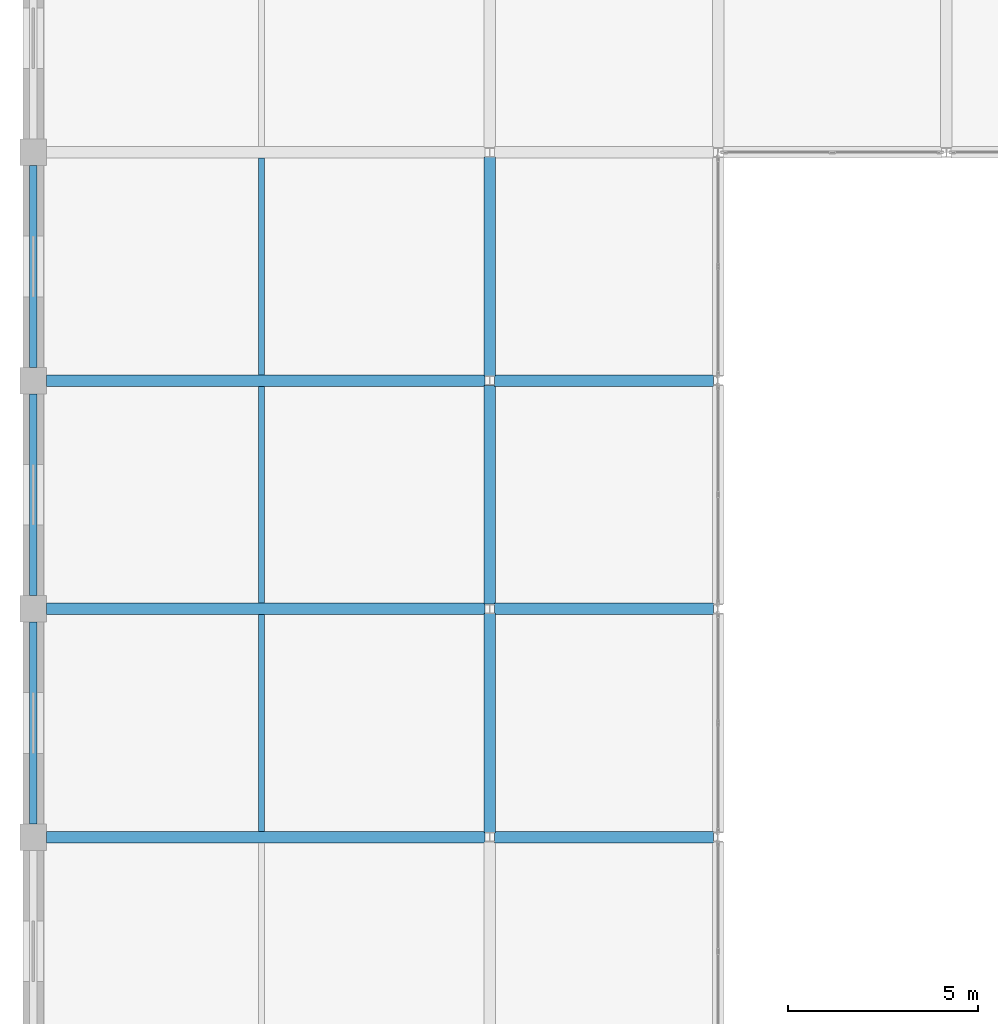
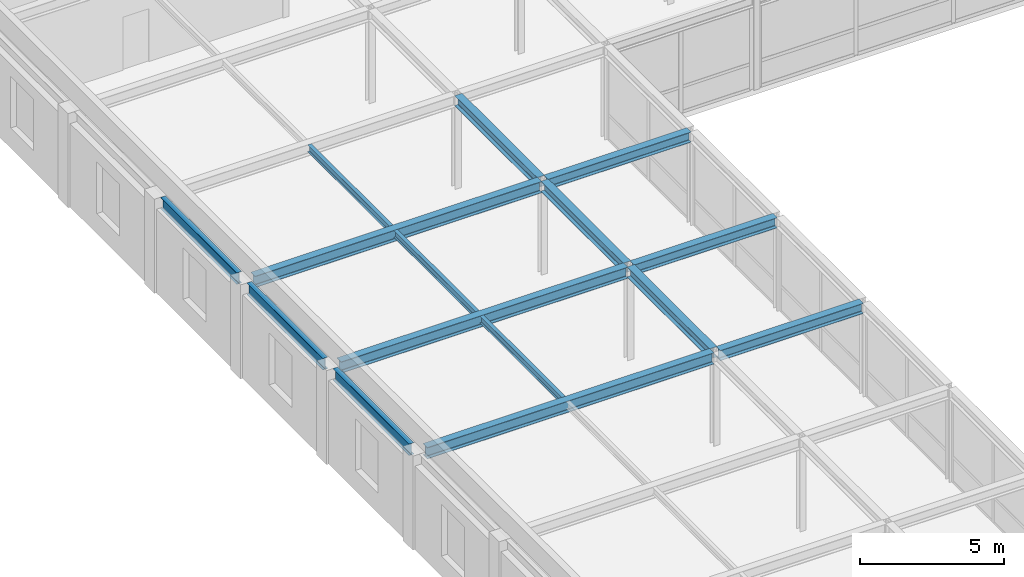
# One storey, part 44 of 111: 15 beams.
"""IFC4 building model written with IfcOpenShell, lengths in metres."""

from ifc_helpers import new_model, si_unit, direction, frame, origin, origin_2d, place, context, subcontext, project, spatial, i_section, extrude, material, material_profile, profile_set, type_object, element, save


model = new_model("IFC4")

# Units and contexts
model_context = context("Model", 3, precision=1e-05, world=origin(), true_north=direction((0.0, 1.0)))
body_context = subcontext(model_context, "Body", "Model", "MODEL_VIEW")
ifc_project = project(units=[si_unit("LENGTHUNIT", "METRE"), si_unit("AREAUNIT", "SQUARE_METRE"), si_unit("VOLUMEUNIT", "CUBIC_METRE"), si_unit("PLANEANGLEUNIT", "RADIAN"), si_unit("MASSUNIT", "GRAM", prefix="KILO")], contexts=[model_context])

# Site, building, storey
site_placement = place(None, origin())
site = spatial("IfcSite", under=ifc_project, at=site_placement, CompositionType="ELEMENT")
building_placement = place(site_placement, origin())
building = spatial("IfcBuilding", under=site, at=building_placement, Name="Zlatovratsky Civic Hall", CompositionType="ELEMENT")
storey_placement = place(building_placement, frame((0.0, 0.0, 16.5)))
storey = spatial("IfcBuildingStorey", under=building, at=storey_placement, Name="L04", CompositionType="ELEMENT", Elevation=16.5)

# Beams
ifc_material = material(Name="Steel S355", Category="steel")
ifc_material_profile_1 = material_profile(ifc_material, i_section(OverallWidth=0.300048828125, OverallDepth=0.487060546875, WebThickness=0.014404296875, FlangeThickness=0.017578125, FilletRadius=0.02392578125, at=origin_2d()), Name="50Sh2")
ifc_profile_set_1 = profile_set([ifc_material_profile_1], Name="Steel S355")
beam_type_1 = type_object("IfcBeamType", Name="Beam_ArchiveGirder_50Sh2", PredefinedType="BEAM", material=ifc_profile_set_1)
for number, where, z_axis, x_axis, name in (
    (1, (0.35009765625, 48.0, 3.756591796875), (1.0, 0.0, 0.0), (0.0, 1.0, 0.0), "BM-3300"),
    (2, (0.35009765625, 54.0, 3.756591796875), (1.0, 0.0, 0.0), (0.0, 1.0, 0.0), "BM-3310"),
    (3, (0.35009765625, 60.0, 3.756591796875), (1.0, 0.0, 0.0), (0.0, 1.0, 0.0), "BM-3320"),
):
    element("IfcBeam", number, at=place(storey_placement, frame(where, z_axis=z_axis, x_axis=x_axis)), inside=storey, type_object=beam_type_1, Name=name, PredefinedType="BEAM", context=body_context, shape_type="SweptSolid", body=[
        extrude(i_section(OverallWidth=0.300048828125, OverallDepth=0.487060546875, WebThickness=0.014404296875, FlangeThickness=0.017578125, FilletRadius=0.02392578125, at=origin_2d()), origin(), (0.0, 0.0, 1.0), 11.52490234375),
    ])
ifc_material_profile_2 = material_profile(ifc_material, i_section(OverallWidth=0.198974609375, OverallDepth=0.491943359375, WebThickness=0.0087890625, FlangeThickness=0.011962890625, FilletRadius=0.01611328125, at=origin_2d()), Name="50B1")
ifc_profile_set_2 = profile_set([ifc_material_profile_2], Name="Steel S355")
beam_type_2 = type_object("IfcBeamType", Name="Beam_Spandrel_50B1", PredefinedType="SPANDREL", material=ifc_profile_set_2)
for number, where, z_axis, x_axis, name in (
    (4, (0.0, 48.35009765625, 3.75390625), (0.0, 1.0, 0.0), (-1.0, 0.0, 0.0), "BM-3518"),
    (5, (0.0, 54.35009765625, 3.75390625), (0.0, 1.0, 0.0), (-1.0, 0.0, 0.0), "BM-3519"),
    (6, (0.0, 60.35009765625, 3.75390625), (0.0, 1.0, 0.0), (-1.0, 0.0, 0.0), "BM-3520"),
):
    element("IfcBeam", number, at=place(storey_placement, frame(where, z_axis=z_axis, x_axis=x_axis)), inside=storey, type_object=beam_type_2, Name=name, PredefinedType="SPANDREL", context=body_context, shape_type="SweptSolid", body=[
        extrude(i_section(OverallWidth=0.198974609375, OverallDepth=0.491943359375, WebThickness=0.0087890625, FlangeThickness=0.011962890625, FilletRadius=0.01611328125, at=origin_2d()), origin(), (0.0, 0.0, 1.0), 5.2998046875),
    ])
ifc_material_profile_3 = material_profile(ifc_material, i_section(OverallWidth=0.300048828125, OverallDepth=0.43994140625, WebThickness=0.010986328125, FlangeThickness=0.01806640625, FilletRadius=0.02197265625, at=origin_2d()), Name="45Sh1")
ifc_profile_set_3 = profile_set([ifc_material_profile_3], Name="Steel S355")
beam_type_3 = type_object("IfcBeamType", Name="Beam_TowerLow_45Sh1", PredefinedType="BEAM", material=ifc_profile_set_3)
for number, where, z_axis, x_axis, name in (
    (7, (12.125, 48.0, 3.780029296875), (1.0, 0.0, 0.0), (0.0, 1.0, 0.0), "BM-3301"),
    (8, (12.125, 54.0, 3.780029296875), (1.0, 0.0, 0.0), (0.0, 1.0, 0.0), "BM-3311"),
    (9, (12.125, 60.0, 3.780029296875), (1.0, 0.0, 0.0), (0.0, 1.0, 0.0), "BM-3321"),
    (10, (12.0, 48.125, 3.780029296875), (0.0, 1.0, 0.0), (-1.0, 0.0, 0.0), "BM-3535"),
    (11, (12.0, 54.125, 3.780029296875), (0.0, 1.0, 0.0), (-1.0, 0.0, 0.0), "BM-3536"),
    (12, (12.0, 60.125, 3.780029296875), (0.0, 1.0, 0.0), (-1.0, 0.0, 0.0), "BM-3537"),
):
    element("IfcBeam", number, at=place(storey_placement, frame(where, z_axis=z_axis, x_axis=x_axis)), inside=storey, type_object=beam_type_3, Name=name, PredefinedType="BEAM", context=body_context, shape_type="SweptSolid", body=[
        extrude(i_section(OverallWidth=0.300048828125, OverallDepth=0.43994140625, WebThickness=0.010986328125, FlangeThickness=0.01806640625, FilletRadius=0.02197265625, at=origin_2d()), origin(), (0.0, 0.0, 1.0), 5.75),
    ])
ifc_material_profile_4 = material_profile(ifc_material, i_section(OverallWidth=0.14892578125, OverallDepth=0.2958984375, WebThickness=0.005615234375, FlangeThickness=0.008056640625, FilletRadius=0.012939453125, at=origin_2d()), Name="30B1")
ifc_profile_set_4 = profile_set([ifc_material_profile_4], Name="Steel S355")
beam_type_4 = type_object("IfcBeamType", Name="Joist_Tower_30B1", PredefinedType="JOIST", material=ifc_profile_set_4)
for number, where, z_axis, x_axis, name in (
    (13, (6.0, 48.14990234375, 3.85205078125), (0.0, 1.0, 0.0), (-1.0, 0.0, 0.0), "BM-3853"),
    (14, (6.0, 54.14990234375, 3.85205078125), (0.0, 1.0, 0.0), (-1.0, 0.0, 0.0), "BM-3855"),
    (15, (6.0, 60.14990234375, 3.85205078125), (0.0, 1.0, 0.0), (-1.0, 0.0, 0.0), "BM-3857"),
):
    element("IfcBeam", number, at=place(storey_placement, frame(where, z_axis=z_axis, x_axis=x_axis)), inside=storey, type_object=beam_type_4, Name=name, PredefinedType="JOIST", context=body_context, shape_type="SweptSolid", body=[
        extrude(i_section(OverallWidth=0.14892578125, OverallDepth=0.2958984375, WebThickness=0.005615234375, FlangeThickness=0.008056640625, FilletRadius=0.012939453125, at=origin_2d()), origin(), (0.0, 0.0, 1.0), 5.7001953125),
    ])

save(model, "model.ifc")
